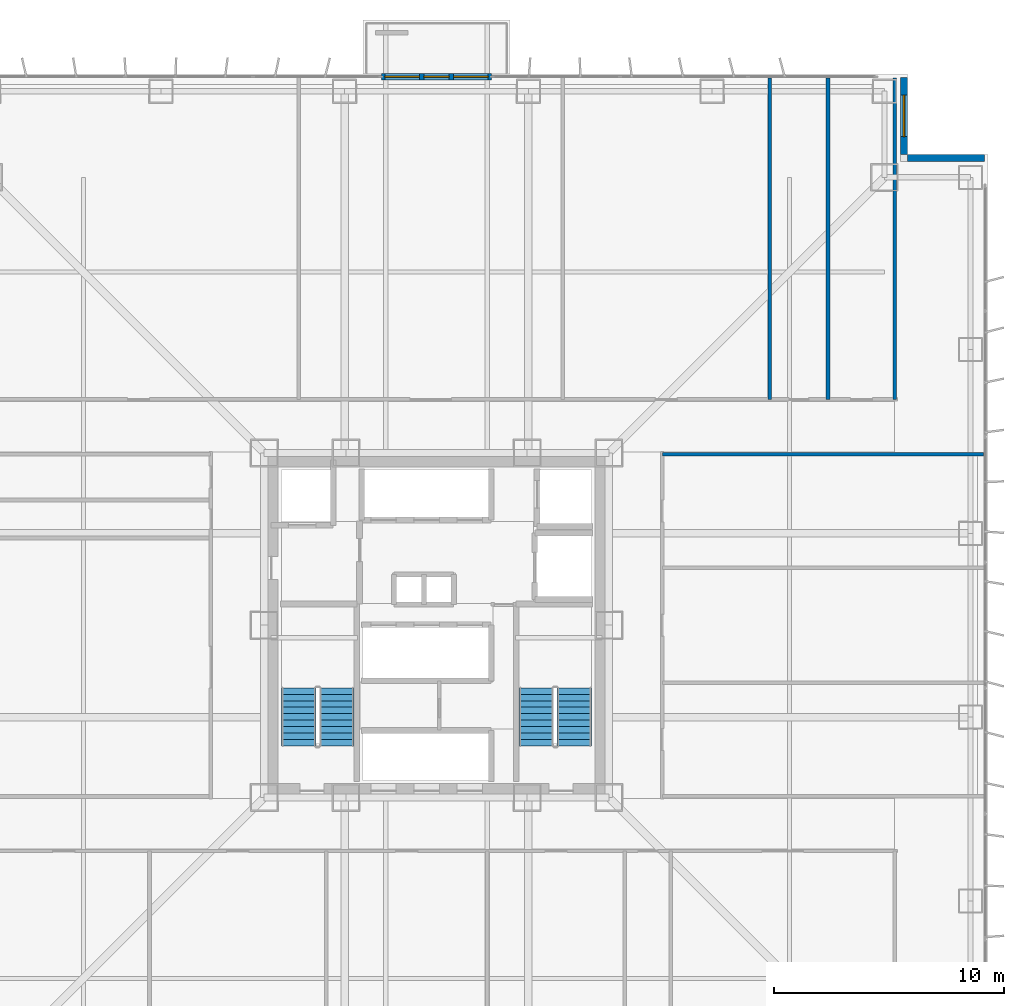
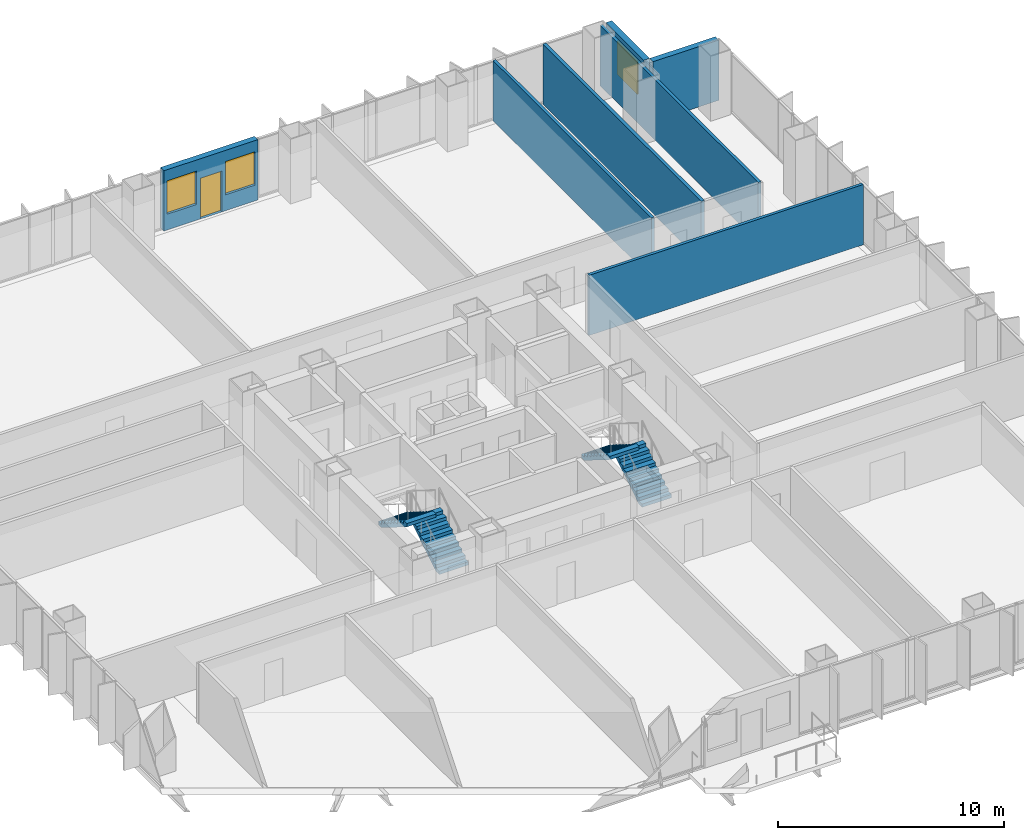
# One storey, part 16 of 21: 7 walls, 4 stair flights, 3 windows, 1 door, 4 openings, 2 elements without a shape of their own.
"""IFC4 building model written with IfcOpenShell, lengths in metres."""

from ifc_helpers import new_model, si_unit, direction, frame, frame_2d, origin, place, context, subcontext, project, spatial, polyline, rectangle, outline, extrude, material, layer, layer_set, type_object, element, fill, aggregate, save


model = new_model("IFC4")

# Units and contexts
model_context = context("Model", 3, precision=1e-05, world=origin(), true_north=direction((0.0, 1.0)))
body_context = subcontext(model_context, "Body", "Model", "MODEL_VIEW")
ifc_project = project(units=[si_unit("LENGTHUNIT", "METRE"), si_unit("AREAUNIT", "SQUARE_METRE"), si_unit("VOLUMEUNIT", "CUBIC_METRE"), si_unit("PLANEANGLEUNIT", "RADIAN"), si_unit("MASSUNIT", "GRAM", prefix="KILO")], contexts=[model_context])

# Site, building, storey
site_placement = place(None, origin())
site = spatial("IfcSite", under=ifc_project, at=site_placement, CompositionType="ELEMENT")
building_placement = place(site_placement, origin())
building = spatial("IfcBuilding", under=site, at=building_placement, Name="Trevonay Congress Spire", CompositionType="ELEMENT")
storey_placement = place(building_placement, frame((0.0, 0.0, 37.5)))
storey = spatial("IfcBuildingStorey", under=building, at=storey_placement, Name="L08", CompositionType="ELEMENT", Elevation=37.5)

# Wall, openings, door, windows
ifc_material_1 = material(Name="Precast concrete C40/50", Category="concrete")
ifc_layer_1 = layer(ifc_material_1, 0.300048828125, Name="Precast concrete C40/50")
ifc_layer_set_1 = layer_set([ifc_layer_1], Name="Precast concrete C40/50")
wall_type_1 = type_object("IfcWallType", Name="WAL-EXT-PRECAST-300", PredefinedType="SOLIDWALL", material=ifc_layer_set_1)
wall_1_placement = place(storey_placement, frame((-2.39990234375, 23.8798828125, 0.0), z_axis=(0.0, 0.0, 1.0), x_axis=(1.0, 0.0, 0.0)))
wall_1 = element("IfcWall", 1, at=wall_1_placement, inside=storey, type_object=wall_type_1, Name="L08 N glazed balcony portal exterior wall", PredefinedType="SOLIDWALL", context=body_context, shape_type="SweptSolid", body=[
    extrude(rectangle(XDim=4.7998046875, YDim=0.300048828125, at=frame_2d((2.39990234375, 0.0))), origin(), (0.0, 0.0, 1.0), 3.25),
])
opening_1_placement = place(wall_1_placement, frame((1.85009765625, 0.0, 0.0)))
opening_1 = element("IfcOpeningElement", 2, at=opening_1_placement, cuts=wall_1, Name="Opening D03", PredefinedType="OPENING", context=body_context, shape_type="SweptSolid", body=[
    extrude(rectangle(XDim=1.10009765625, YDim=2.199951171875, at=frame_2d((0.550048828125, 1.10009765625))), frame((0.0, 0.16015625, 0.0), z_axis=(0.0, -1.0, 0.0), x_axis=(1.0, 0.0, 0.0)), (0.0, 0.0, 1.0), 0.320068359375),
])
opening_2_placement = place(wall_1_placement, frame((0.14990234375, 0.0, 0.85009765625)))
opening_2 = element("IfcOpeningElement", 3, at=opening_2_placement, cuts=wall_1, Name="Opening WN03", PredefinedType="OPENING", context=body_context, shape_type="SweptSolid", body=[
    extrude(rectangle(XDim=1.5, YDim=1.800048828125, at=frame_2d((0.75, 0.89990234375))), frame((0.0, 0.16015625, 0.0), z_axis=(0.0, -1.0, 0.0), x_axis=(1.0, 0.0, 0.0)), (0.0, 0.0, 1.0), 0.320068359375),
])
opening_3_placement = place(wall_1_placement, frame((3.14990234375, 0.0, 0.85009765625)))
opening_3 = element("IfcOpeningElement", 4, at=opening_3_placement, cuts=wall_1, Name="Opening WN03", PredefinedType="OPENING", context=body_context, shape_type="SweptSolid", body=[
    extrude(rectangle(XDim=1.5, YDim=1.800048828125, at=frame_2d((0.75, 0.89990234375))), frame((0.0, 0.16015625, 0.0), z_axis=(0.0, -1.0, 0.0), x_axis=(1.0, 0.0, 0.0)), (0.0, 0.0, 1.0), 0.320068359375),
])
ifc_material_2 = material(Name="Pale Anodised Aluminium EN AW-6063-T6", Category="aluminium")
door_type = type_object("IfcDoorType", Name="DOR-EXT-BAL-110", OperationType="NOTDEFINED", PredefinedType="DOOR", material=ifc_material_2)
door_placement = place(opening_1_placement, origin())
door = element("IfcDoor", 5, at=door_placement, inside=storey, type_object=door_type, Name="L08 N glazed outdoor terrace and balcony door", OperationType="SINGLE_SWING_RIGHT", OverallHeight=2.199951171875, OverallWidth=1.10009765625, PredefinedType="DOOR", context=body_context, shape_type="SweptSolid", body=[
    extrude(rectangle(XDim=1.10009765625, YDim=2.199951171875, at=frame_2d((0.550048828125, 1.10009765625))), frame((0.0, 0.02490234375, 0.0), z_axis=(0.0, -1.0, 0.0), x_axis=(1.0, 0.0, 0.0)), (0.0, 0.0, 1.0), 0.050048828125),
])
fill(opening_1, door)
ifc_material_3 = material(Name="Insulated Low-E Vision Glass IGU", Category="glass")
window_type_1 = type_object("IfcWindowType", Name="WIN-NOTCH-150X180", PartitioningType="SINGLE_PANEL", PredefinedType="WINDOW", material=ifc_material_3)
window_1_placement = place(opening_2_placement, origin())
window_1 = element("IfcWindow", 6, at=window_1_placement, inside=storey, type_object=window_type_1, Name="L08 N balcony sidelight window L", OverallHeight=1.800048828125, OverallWidth=1.5, PartitioningType="SINGLE_PANEL", PredefinedType="WINDOW", context=body_context, shape_type="SweptSolid", body=[
    extrude(rectangle(XDim=1.5, YDim=1.800048828125, at=frame_2d((0.75, 0.89990234375))), frame((0.0, 0.030029296875, 0.0), z_axis=(0.0, -1.0, 0.0), x_axis=(1.0, 0.0, 0.0)), (0.0, 0.0, 1.0), 0.06005859375),
])
fill(opening_2, window_1)
window_2_placement = place(opening_3_placement, origin())
window_2 = element("IfcWindow", 7, at=window_2_placement, inside=storey, type_object=window_type_1, Name="L08 N balcony sidelight window R", OverallHeight=1.800048828125, OverallWidth=1.5, PartitioningType="SINGLE_PANEL", PredefinedType="WINDOW", context=body_context, shape_type="SweptSolid", body=[
    extrude(rectangle(XDim=1.5, YDim=1.800048828125, at=frame_2d((0.75, 0.89990234375))), frame((0.0, 0.030029296875, 0.0), z_axis=(0.0, -1.0, 0.0), x_axis=(1.0, 0.0, 0.0)), (0.0, 0.0, 1.0), 0.06005859375),
])
fill(opening_3, window_2)

# Wall, opening, window
wall_2_placement = place(storey_placement, frame((20.35009765625, 23.85009765625, 0.0), z_axis=(0.0, 0.0, 1.0), x_axis=(0.0, -1.0, 0.0)))
wall_2 = element("IfcWall", 8, at=wall_2_placement, inside=storey, type_object=wall_type_1, Name="L08 NE re-entrant notch exterior wall 1", PredefinedType="SOLIDWALL", context=body_context, shape_type="SweptSolid", body=[
    extrude(rectangle(XDim=3.35009765625, YDim=0.300048828125, at=frame_2d((1.675048828125, 0.0))), origin(), (0.0, 0.0, 1.0), 3.25),
])
opening_4_placement = place(wall_2_placement, frame((0.77490234375, 0.0, 0.89990234375)))
opening_4 = element("IfcOpeningElement", 9, at=opening_4_placement, cuts=wall_2, Name="Opening WN01", PredefinedType="OPENING", context=body_context, shape_type="SweptSolid", body=[
    extrude(rectangle(XDim=1.800048828125, YDim=1.800048828125, at=frame_2d((0.89990234375, 0.89990234375))), frame((0.0, 0.16015625, 0.0), z_axis=(0.0, -1.0, 0.0), x_axis=(1.0, 0.0, 0.0)), (0.0, 0.0, 1.0), 0.320068359375),
])
window_type_2 = type_object("IfcWindowType", Name="WIN-HOTEL-180X180", PartitioningType="SINGLE_PANEL", PredefinedType="WINDOW", material=ifc_material_3)
window_3_placement = place(opening_4_placement, origin())
window_3 = element("IfcWindow", 10, at=window_3_placement, inside=storey, type_object=window_type_2, Name="L08 NE corner notch window", OverallHeight=1.800048828125, OverallWidth=1.800048828125, PartitioningType="SINGLE_PANEL", PredefinedType="WINDOW", context=body_context, shape_type="SweptSolid", body=[
    extrude(rectangle(XDim=1.800048828125, YDim=1.800048828125, at=frame_2d((0.89990234375, 0.89990234375))), frame((0.0, 0.030029296875, 0.0), z_axis=(0.0, -1.0, 0.0), x_axis=(1.0, 0.0, 0.0)), (0.0, 0.0, 1.0), 0.06005859375),
])
fill(opening_4, window_3)

# Walls
wall_3_placement = place(storey_placement, frame((23.85009765625, 20.35009765625, 0.0), z_axis=(0.0, 0.0, 1.0), x_axis=(-1.0, 0.0, 0.0)))
element("IfcWall", 11, at=wall_3_placement, inside=storey, type_object=wall_type_1, Name="L08 NE re-entrant notch exterior wall 2", PredefinedType="SOLIDWALL", context=body_context, shape_type="SweptSolid", body=[
    extrude(rectangle(XDim=3.35009765625, YDim=0.300048828125, at=frame_2d((1.675048828125, 0.0))), origin(), (0.0, 0.0, 1.0), 3.25),
])
ifc_material_4 = material(Name="Concrete C40/50", Category="concrete")
ifc_layer_2 = layer(ifc_material_4, 0.14990234375, Name="Concrete C40/50")
ifc_layer_set_2 = layer_set([ifc_layer_2], Name="Concrete C40/50")
wall_type_2 = type_object("IfcWallType", Name="WAL-PART-150", PredefinedType="PARTITIONING", material=ifc_layer_set_2)
for number, where, z_axis, x_axis, name in (
    (12, (14.5, 9.830078125, 0.0), (0.0, 0.0, 1.0), (0.0, 1.0, 0.0), "L08 interior wall WP-L08N-DIV4"),
    (13, (19.949951171875, 9.830078125, 0.0), (0.0, 0.0, 1.0), (0.0, 1.0, 0.0), "L08 interior wall WP-L08N-DIV5"),
    (14, (9.830078125, 7.449951171875, 0.0), (0.0, 0.0, 1.0), (1.0, 0.0, 0.0), "L08 interior wall WP-L08E-DIV4"),
):
    element("IfcWall", number, at=place(storey_placement, frame(where, z_axis=z_axis, x_axis=x_axis)), inside=storey, type_object=wall_type_2, Name=name, PredefinedType="PARTITIONING", context=body_context, shape_type="SweptSolid", body=[
        extrude(rectangle(XDim=13.989990234375, YDim=0.14990234375, at=frame_2d((6.9951171875, 0.0))), origin(), (0.0, 0.0, 1.0), 3.25),
    ])
ifc_layer_3 = layer(ifc_material_4, 0.1650390625, Name="Concrete C40/50")
ifc_layer_set_3 = layer_set([ifc_layer_3], Name="Concrete C40/50")
wall_type_3 = type_object("IfcWallType", Name="WAL-WET-165", PredefinedType="PLUMBINGWALL", material=ifc_layer_set_3)
wall_4_placement = place(storey_placement, frame((17.050048828125, 9.830078125, 0.0), z_axis=(0.0, 0.0, 1.0), x_axis=(0.0, 1.0, 0.0)))
element("IfcWall", 15, at=wall_4_placement, inside=storey, type_object=wall_type_3, Name="L08 interior wall WP-L08N-WCS4", PredefinedType="PLUMBINGWALL", context=body_context, shape_type="SweptSolid", body=[
    extrude(rectangle(XDim=13.989990234375, YDim=0.1650390625, at=frame_2d((6.9951171875, 0.0))), origin(), (0.0, 0.0, 1.0), 3.25),
])

# Stair, stair flights
stair_type_1 = type_object("IfcStairType", Name="STR-ST-1", PredefinedType="HALF_TURN_STAIR", material=ifc_material_4)
stair_1_placement = place(storey_placement, origin())
stair_1 = element("IfcStair", 16, at=stair_1_placement, inside=storey, type_object=stair_type_1, Name="L08 Protected Exit Stair ST-1", PredefinedType="HALF_TURN_STAIR")
stair_flight_type_1 = type_object("IfcStairFlightType", Name="SFL-ST-1", PredefinedType="STRAIGHT", material=ifc_material_4)
stair_flight_1_placement = place(storey_placement, frame((-4.35009765625, -5.25, 0.0), z_axis=(0.0, 0.0, 1.0), x_axis=(0.0, 1.0, 0.0)))
stair_flight_1 = element("IfcStairFlight", 17, at=stair_flight_1_placement, type_object=stair_flight_type_1, Name="ST-1 flight 1", NumberOfRisers=10, NumberOfTreads=9, PredefinedType="STRAIGHT", RiserHeight=0.175, TreadLength=0.28, context=body_context, shape_type="SweptSolid", body=[
    extrude(outline(polyline([(0.0, 0.0), (0.0, 0.175048828125), (0.280029296875, 0.175048828125), (0.280029296875, 0.35009765625), (0.56005859375, 0.35009765625), (0.56005859375, 0.52490234375), (0.840087890625, 0.52490234375), (0.840087890625, 0.699951171875), (1.1201171875, 0.699951171875), (1.1201171875, 0.875), (1.39990234375, 0.875), (1.39990234375, 1.050048828125), (1.679931640625, 1.050048828125), (1.679931640625, 1.22509765625), (1.9599609375, 1.22509765625), (1.9599609375, 1.39990234375), (2.239990234375, 1.39990234375), (2.239990234375, 1.574951171875), (2.52001953125, 1.574951171875), (2.52001953125, 1.75), (2.52001953125, 1.398193359375), (0.28271484375, 0.0), (0.0, 0.0)])), frame((0.0, 0.75, 0.0), z_axis=(0.0, -1.0, 0.0), x_axis=(1.0, 0.0, 0.0)), (0.0, 0.0, 1.0), 1.5),
])
stair_flight_2_placement = place(storey_placement, frame((-6.0, -2.72998046875, 1.75), z_axis=(0.0, 0.0, 1.0), x_axis=(0.0, -1.0, 0.0)))
stair_flight_2 = element("IfcStairFlight", 18, at=stair_flight_2_placement, type_object=stair_flight_type_1, Name="ST-1 flight 2", NumberOfRisers=10, NumberOfTreads=9, PredefinedType="STRAIGHT", RiserHeight=0.175, TreadLength=0.28, context=body_context, shape_type="SweptSolid", body=[
    extrude(outline(polyline([(0.0, 0.0), (0.0, 0.175048828125), (0.280029296875, 0.175048828125), (0.280029296875, 0.35009765625), (0.56005859375, 0.35009765625), (0.56005859375, 0.52490234375), (0.840087890625, 0.52490234375), (0.840087890625, 0.699951171875), (1.1201171875, 0.699951171875), (1.1201171875, 0.875), (1.39990234375, 0.875), (1.39990234375, 1.050048828125), (1.679931640625, 1.050048828125), (1.679931640625, 1.22509765625), (1.9599609375, 1.22509765625), (1.9599609375, 1.39990234375), (2.239990234375, 1.39990234375), (2.239990234375, 1.574951171875), (2.52001953125, 1.574951171875), (2.52001953125, 1.75), (2.52001953125, 1.398193359375), (0.28271484375, 0.0), (0.0, 0.0)])), frame((0.0, 0.75, 0.0), z_axis=(0.0, -1.0, 0.0), x_axis=(1.0, 0.0, 0.0)), (0.0, 0.0, 1.0), 1.5),
])
aggregate(stair_1, [stair_flight_1, stair_flight_2])

stair_type_2 = type_object("IfcStairType", Name="STR-ST-2", PredefinedType="HALF_TURN_STAIR", material=ifc_material_4)
stair_2_placement = place(storey_placement, origin())
stair_2 = element("IfcStair", 19, at=stair_2_placement, inside=storey, type_object=stair_type_2, Name="L08 Protected Exit Stair ST-2", PredefinedType="HALF_TURN_STAIR")
stair_flight_type_2 = type_object("IfcStairFlightType", Name="SFL-ST-2", PredefinedType="STRAIGHT", material=ifc_material_4)
stair_flight_3_placement = place(storey_placement, frame((6.0, -5.25, 0.0), z_axis=(0.0, 0.0, 1.0), x_axis=(0.0, 1.0, 0.0)))
stair_flight_3 = element("IfcStairFlight", 20, at=stair_flight_3_placement, type_object=stair_flight_type_2, Name="ST-2 flight 1", NumberOfRisers=10, NumberOfTreads=9, PredefinedType="STRAIGHT", RiserHeight=0.175, TreadLength=0.28, context=body_context, shape_type="SweptSolid", body=[
    extrude(outline(polyline([(0.0, 0.0), (0.0, 0.175048828125), (0.280029296875, 0.175048828125), (0.280029296875, 0.35009765625), (0.56005859375, 0.35009765625), (0.56005859375, 0.52490234375), (0.840087890625, 0.52490234375), (0.840087890625, 0.699951171875), (1.1201171875, 0.699951171875), (1.1201171875, 0.875), (1.39990234375, 0.875), (1.39990234375, 1.050048828125), (1.679931640625, 1.050048828125), (1.679931640625, 1.22509765625), (1.9599609375, 1.22509765625), (1.9599609375, 1.39990234375), (2.239990234375, 1.39990234375), (2.239990234375, 1.574951171875), (2.52001953125, 1.574951171875), (2.52001953125, 1.75), (2.52001953125, 1.398193359375), (0.28271484375, 0.0), (0.0, 0.0)])), frame((0.0, 0.75, 0.0), z_axis=(0.0, -1.0, 0.0), x_axis=(1.0, 0.0, 0.0)), (0.0, 0.0, 1.0), 1.5),
])
stair_flight_4_placement = place(storey_placement, frame((4.35009765625, -2.72998046875, 1.75), z_axis=(0.0, 0.0, 1.0), x_axis=(0.0, -1.0, 0.0)))
stair_flight_4 = element("IfcStairFlight", 21, at=stair_flight_4_placement, type_object=stair_flight_type_2, Name="ST-2 flight 2", NumberOfRisers=10, NumberOfTreads=9, PredefinedType="STRAIGHT", RiserHeight=0.175, TreadLength=0.28, context=body_context, shape_type="SweptSolid", body=[
    extrude(outline(polyline([(0.0, 0.0), (0.0, 0.175048828125), (0.280029296875, 0.175048828125), (0.280029296875, 0.35009765625), (0.56005859375, 0.35009765625), (0.56005859375, 0.52490234375), (0.840087890625, 0.52490234375), (0.840087890625, 0.699951171875), (1.1201171875, 0.699951171875), (1.1201171875, 0.875), (1.39990234375, 0.875), (1.39990234375, 1.050048828125), (1.679931640625, 1.050048828125), (1.679931640625, 1.22509765625), (1.9599609375, 1.22509765625), (1.9599609375, 1.39990234375), (2.239990234375, 1.39990234375), (2.239990234375, 1.574951171875), (2.52001953125, 1.574951171875), (2.52001953125, 1.75), (2.52001953125, 1.398193359375), (0.28271484375, 0.0), (0.0, 0.0)])), frame((0.0, 0.75, 0.0), z_axis=(0.0, -1.0, 0.0), x_axis=(1.0, 0.0, 0.0)), (0.0, 0.0, 1.0), 1.5),
])
aggregate(stair_2, [stair_flight_3, stair_flight_4])

save(model, "model.ifc")
